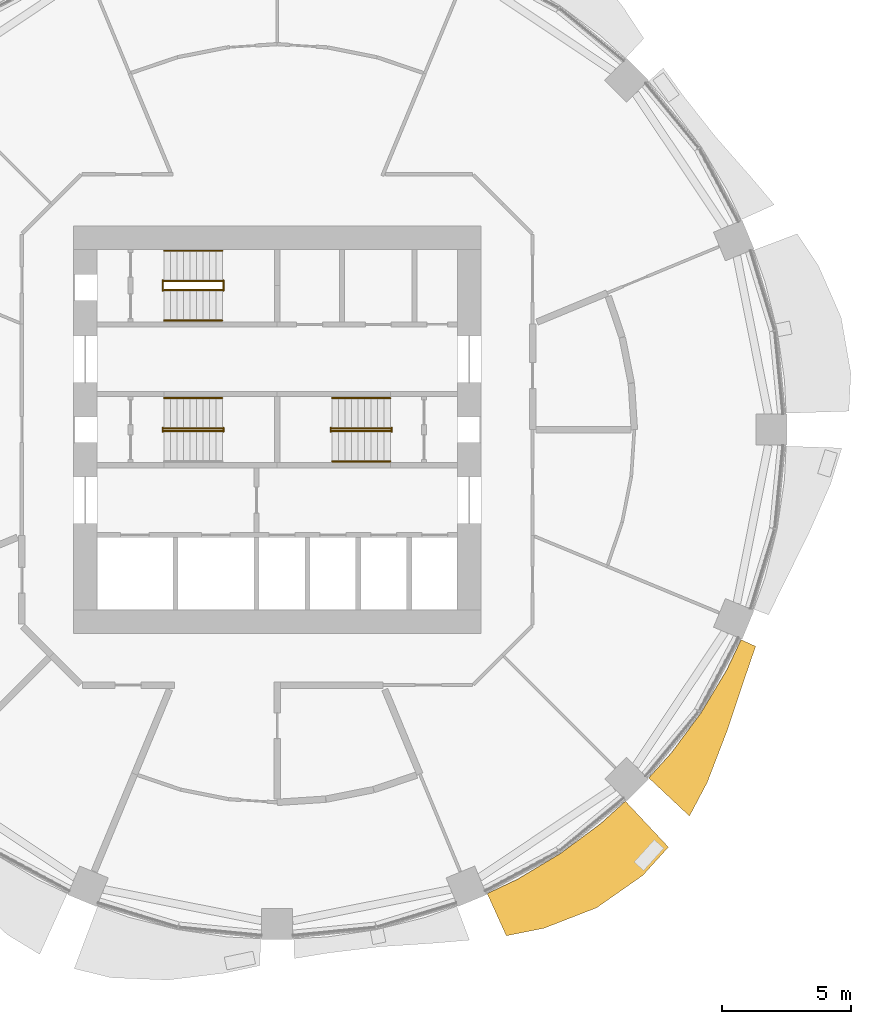
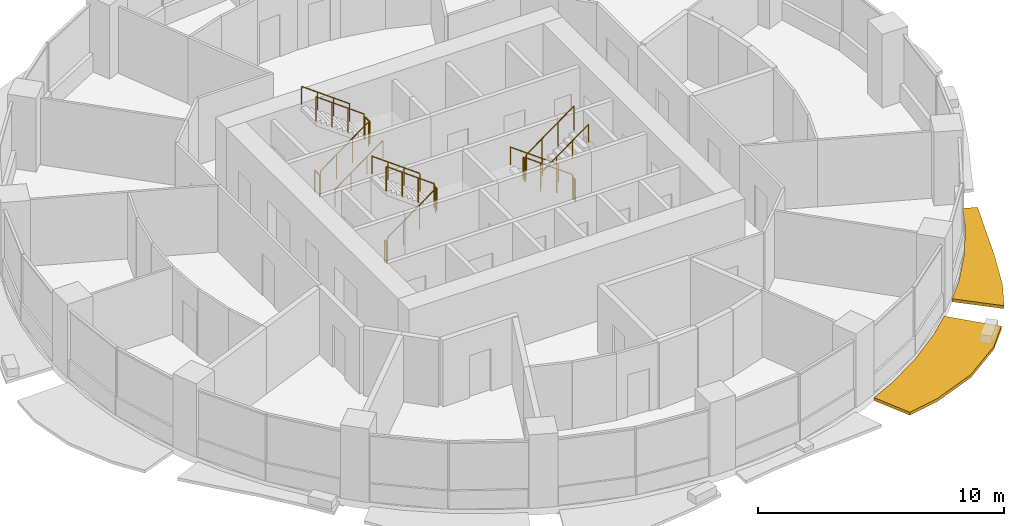
# One storey, part 13 of 15: 17 railings, 2 shading devices.
"""IFC4 building model written with IfcOpenShell, lengths in metres."""

from ifc_helpers import new_model, si_unit, direction, frame, origin, origin_2d, place, context, subcontext, project, spatial, polyline, circle, outline, extrude, material, type_object, element, save


model = new_model("IFC4")

# Units and contexts
model_context = context("Model", 3, precision=1e-05, world=origin(), true_north=direction((0.0, 1.0)))
body_context = subcontext(model_context, "Body", "Model", "MODEL_VIEW")
ifc_project = project(units=[si_unit("LENGTHUNIT", "METRE"), si_unit("AREAUNIT", "SQUARE_METRE"), si_unit("VOLUMEUNIT", "CUBIC_METRE"), si_unit("PLANEANGLEUNIT", "RADIAN"), si_unit("MASSUNIT", "GRAM", prefix="KILO")], contexts=[model_context])

# Site, building, storey
site_placement = place(None, origin())
site = spatial("IfcSite", under=ifc_project, at=site_placement, CompositionType="ELEMENT")
building_placement = place(site_placement, origin())
building = spatial("IfcBuilding", under=site, at=building_placement, Name="Polderwave Tower", CompositionType="ELEMENT")
storey_placement = place(building_placement, frame((0.0, 0.0, 37.14990234375)))
storey = spatial("IfcBuildingStorey", under=building, at=storey_placement, Name="L09", CompositionType="ELEMENT", Elevation=37.14990234375)

# Railings
ifc_material_1 = material(Name="Stainless steel", Category="steel")
railing_type_1 = type_object("IfcRailingType", Name="Stair guard 1100", PredefinedType="GUARDRAIL", material=ifc_material_1)
railing_1_placement = place(storey_placement, frame((-4.3740234375, -0.051025390625, 0.0625)))
element("IfcRailing", 1, at=railing_1_placement, inside=storey, type_object=railing_type_1, Name="L09 ST-A stair guard 1", PredefinedType="GUARDRAIL", context=body_context, shape_type="SweptSolid", body=[
    extrude(circle(Radius=0.02392578125, at=origin_2d()), frame((0.0, 0.0, 1.1962890625), z_axis=(0.807673635365, 0.0, 0.58962979804), x_axis=(0.0, 1.0, 0.0)), (0.0, 0.0, 1.0), 2.785888671875),
    extrude(circle(Radius=0.02392578125, at=origin_2d()), origin(), (0.0, 0.0, 1.0), 1.172119140625),
    extrude(circle(Radius=0.02392578125, at=origin_2d()), frame((0.75, 0.0, 0.547607421875)), (0.0, 0.0, 1.0), 1.172119140625),
    extrude(circle(Radius=0.02392578125, at=origin_2d()), frame((1.5, 0.0, 1.094970703125)), (0.0, 0.0, 1.0), 1.172119140625),
    extrude(circle(Radius=0.02392578125, at=origin_2d()), frame((2.25, 0.0, 1.642578125)), (0.0, 0.0, 1.0), 1.172119140625),
])
railing_2_placement = place(storey_placement, frame((-2.073974609375, -0.074951171875, 1.8251953125)))
element("IfcRailing", 2, at=railing_2_placement, inside=storey, type_object=railing_type_1, Name="L09 ST-A stair guard 2", PredefinedType="GUARDRAIL", context=body_context, shape_type="SweptSolid", body=[
    extrude(circle(Radius=0.02392578125, at=origin_2d()), frame((0.0, 0.0, 1.076171875), z_axis=(0.0, 1.0, 0.0), x_axis=(-1.0, 0.0, 0.0)), (0.0, 0.0, 1.0), 0.14990234375),
    extrude(circle(Radius=0.02099609375, at=origin_2d()), origin(), (0.0, 0.0, 1.0), 1.052001953125),
    extrude(circle(Radius=0.02099609375, at=origin_2d()), frame((0.0, 0.14990234375, 0.0)), (0.0, 0.0, 1.0), 1.052001953125),
])
railing_3_placement = place(storey_placement, frame((-2.1240234375, 0.051025390625, 1.887451171875)))
element("IfcRailing", 3, at=railing_3_placement, inside=storey, type_object=railing_type_1, Name="L09 ST-A stair guard 3", PredefinedType="GUARDRAIL", context=body_context, shape_type="SweptSolid", body=[
    extrude(circle(Radius=0.02392578125, at=origin_2d()), frame((0.0, 0.0, 1.1962890625), z_axis=(-0.807673635365, 0.0, 0.58962979804), x_axis=(0.0, -1.0, 0.0)), (0.0, 0.0, 1.0), 2.785888671875),
    extrude(circle(Radius=0.02392578125, at=origin_2d()), origin(), (0.0, 0.0, 1.0), 1.172119140625),
    extrude(circle(Radius=0.02392578125, at=origin_2d()), frame((-0.75, 0.0, 0.547607421875)), (0.0, 0.0, 1.0), 1.172119140625),
    extrude(circle(Radius=0.02392578125, at=origin_2d()), frame((-1.5, 0.0, 1.094970703125)), (0.0, 0.0, 1.0), 1.172119140625),
    extrude(circle(Radius=0.02392578125, at=origin_2d()), frame((-2.25, 0.0, 1.642578125)), (0.0, 0.0, 1.0), 1.172119140625),
])
railing_4_placement = place(storey_placement, frame((-4.424072265625, -0.074951171875, 0.0)))
element("IfcRailing", 4, at=railing_4_placement, inside=storey, type_object=railing_type_1, Name="L09 ST-A stair guard 4", PredefinedType="GUARDRAIL", context=body_context, shape_type="SweptSolid", body=[
    extrude(circle(Radius=0.02392578125, at=origin_2d()), frame((0.0, 0.0, 1.076171875), z_axis=(0.0, 1.0, 0.0), x_axis=(-1.0, 0.0, 0.0)), (0.0, 0.0, 1.0), 0.14990234375),
    extrude(circle(Radius=0.02099609375, at=origin_2d()), origin(), (0.0, 0.0, 1.0), 1.052001953125),
    extrude(circle(Radius=0.02099609375, at=origin_2d()), frame((0.0, 0.14990234375, 0.0)), (0.0, 0.0, 1.0), 1.052001953125),
])
railing_5_placement = place(storey_placement, frame((4.3740234375, 0.051025390625, 0.0625)))
element("IfcRailing", 5, at=railing_5_placement, inside=storey, type_object=railing_type_1, Name="L09 ST-B stair guard 1", PredefinedType="GUARDRAIL", context=body_context, shape_type="SweptSolid", body=[
    extrude(circle(Radius=0.02392578125, at=origin_2d()), frame((0.0, 0.0, 1.1962890625), z_axis=(-0.807673635365, 0.0, 0.58962979804), x_axis=(0.0, -1.0, 0.0)), (0.0, 0.0, 1.0), 2.785888671875),
    extrude(circle(Radius=0.02392578125, at=origin_2d()), origin(), (0.0, 0.0, 1.0), 1.172119140625),
    extrude(circle(Radius=0.02392578125, at=origin_2d()), frame((-0.75, 0.0, 0.547607421875)), (0.0, 0.0, 1.0), 1.172119140625),
    extrude(circle(Radius=0.02392578125, at=origin_2d()), frame((-1.5, 0.0, 1.094970703125)), (0.0, 0.0, 1.0), 1.172119140625),
    extrude(circle(Radius=0.02392578125, at=origin_2d()), frame((-2.25, 0.0, 1.642578125)), (0.0, 0.0, 1.0), 1.172119140625),
])
railing_6_placement = place(storey_placement, frame((2.073974609375, 0.074951171875, 1.8251953125)))
element("IfcRailing", 6, at=railing_6_placement, inside=storey, type_object=railing_type_1, Name="L09 ST-B stair guard 2", PredefinedType="GUARDRAIL", context=body_context, shape_type="SweptSolid", body=[
    extrude(circle(Radius=0.02392578125, at=origin_2d()), frame((0.0, 0.0, 1.076171875), z_axis=(0.0, -1.0, 0.0), x_axis=(1.0, 0.0, 0.0)), (0.0, 0.0, 1.0), 0.14990234375),
    extrude(circle(Radius=0.02099609375, at=origin_2d()), origin(), (0.0, 0.0, 1.0), 1.052001953125),
    extrude(circle(Radius=0.02099609375, at=origin_2d()), frame((0.0, -0.14990234375, 0.0)), (0.0, 0.0, 1.0), 1.052001953125),
])
railing_7_placement = place(storey_placement, frame((2.1240234375, -0.051025390625, 1.887451171875)))
element("IfcRailing", 7, at=railing_7_placement, inside=storey, type_object=railing_type_1, Name="L09 ST-B stair guard 3", PredefinedType="GUARDRAIL", context=body_context, shape_type="SweptSolid", body=[
    extrude(circle(Radius=0.02392578125, at=origin_2d()), frame((0.0, 0.0, 1.1962890625), z_axis=(0.807673635365, 0.0, 0.58962979804), x_axis=(0.0, 1.0, 0.0)), (0.0, 0.0, 1.0), 2.785888671875),
    extrude(circle(Radius=0.02392578125, at=origin_2d()), origin(), (0.0, 0.0, 1.0), 1.172119140625),
    extrude(circle(Radius=0.02392578125, at=origin_2d()), frame((0.75, 0.0, 0.547607421875)), (0.0, 0.0, 1.0), 1.172119140625),
    extrude(circle(Radius=0.02392578125, at=origin_2d()), frame((1.5, 0.0, 1.094970703125)), (0.0, 0.0, 1.0), 1.172119140625),
    extrude(circle(Radius=0.02392578125, at=origin_2d()), frame((2.25, 0.0, 1.642578125)), (0.0, 0.0, 1.0), 1.172119140625),
])
railing_8_placement = place(storey_placement, frame((4.424072265625, 0.074951171875, 0.0)))
element("IfcRailing", 8, at=railing_8_placement, inside=storey, type_object=railing_type_1, Name="L09 ST-B stair guard 4", PredefinedType="GUARDRAIL", context=body_context, shape_type="SweptSolid", body=[
    extrude(circle(Radius=0.02392578125, at=origin_2d()), frame((0.0, 0.0, 1.076171875), z_axis=(0.0, -1.0, 0.0), x_axis=(1.0, 0.0, 0.0)), (0.0, 0.0, 1.0), 0.14990234375),
    extrude(circle(Radius=0.02099609375, at=origin_2d()), origin(), (0.0, 0.0, 1.0), 1.052001953125),
    extrude(circle(Radius=0.02099609375, at=origin_2d()), frame((0.0, -0.14990234375, 0.0)), (0.0, 0.0, 1.0), 1.052001953125),
])
railing_9_placement = place(storey_placement, frame((-4.3740234375, 5.39794921875, 0.0625)))
element("IfcRailing", 9, at=railing_9_placement, inside=storey, type_object=railing_type_1, Name="L09 ST-C stair guard 1", PredefinedType="GUARDRAIL", context=body_context, shape_type="SweptSolid", body=[
    extrude(circle(Radius=0.02392578125, at=origin_2d()), frame((0.0, 0.0, 1.1962890625), z_axis=(0.807673635365, 0.0, 0.58962979804), x_axis=(0.0, 1.0, 0.0)), (0.0, 0.0, 1.0), 2.785888671875),
    extrude(circle(Radius=0.02392578125, at=origin_2d()), origin(), (0.0, 0.0, 1.0), 1.172119140625),
    extrude(circle(Radius=0.02392578125, at=origin_2d()), frame((0.75, 0.0, 0.547607421875)), (0.0, 0.0, 1.0), 1.172119140625),
    extrude(circle(Radius=0.02392578125, at=origin_2d()), frame((1.5, 0.0, 1.094970703125)), (0.0, 0.0, 1.0), 1.172119140625),
    extrude(circle(Radius=0.02392578125, at=origin_2d()), frame((2.25, 0.0, 1.642578125)), (0.0, 0.0, 1.0), 1.172119140625),
])
railing_10_placement = place(storey_placement, frame((-2.073974609375, 5.3740234375, 1.8251953125)))
element("IfcRailing", 10, at=railing_10_placement, inside=storey, type_object=railing_type_1, Name="L09 ST-C stair guard 2", PredefinedType="GUARDRAIL", context=body_context, shape_type="SweptSolid", body=[
    extrude(circle(Radius=0.02392578125, at=origin_2d()), frame((0.0, 0.0, 1.076171875), z_axis=(0.0, 1.0, 0.0), x_axis=(-1.0, 0.0, 0.0)), (0.0, 0.0, 1.0), 0.39990234375),
    extrude(circle(Radius=0.02099609375, at=origin_2d()), origin(), (0.0, 0.0, 1.0), 1.052001953125),
    extrude(circle(Radius=0.02099609375, at=origin_2d()), frame((0.0, 0.39990234375, 0.0)), (0.0, 0.0, 1.0), 1.052001953125),
])
railing_11_placement = place(storey_placement, frame((-2.1240234375, 5.75, 1.887451171875)))
element("IfcRailing", 11, at=railing_11_placement, inside=storey, type_object=railing_type_1, Name="L09 ST-C stair guard 3", PredefinedType="GUARDRAIL", context=body_context, shape_type="SweptSolid", body=[
    extrude(circle(Radius=0.02392578125, at=origin_2d()), frame((0.0, 0.0, 1.1962890625), z_axis=(-0.807673635365, 0.0, 0.58962979804), x_axis=(0.0, -1.0, 0.0)), (0.0, 0.0, 1.0), 2.785888671875),
    extrude(circle(Radius=0.02392578125, at=origin_2d()), origin(), (0.0, 0.0, 1.0), 1.172119140625),
    extrude(circle(Radius=0.02392578125, at=origin_2d()), frame((-0.75, 0.0, 0.547607421875)), (0.0, 0.0, 1.0), 1.172119140625),
    extrude(circle(Radius=0.02392578125, at=origin_2d()), frame((-1.5, 0.0, 1.094970703125)), (0.0, 0.0, 1.0), 1.172119140625),
    extrude(circle(Radius=0.02392578125, at=origin_2d()), frame((-2.25, 0.0, 1.642578125)), (0.0, 0.0, 1.0), 1.172119140625),
])
railing_12_placement = place(storey_placement, frame((-4.424072265625, 5.3740234375, 0.0)))
element("IfcRailing", 12, at=railing_12_placement, inside=storey, type_object=railing_type_1, Name="L09 ST-C stair guard 4", PredefinedType="GUARDRAIL", context=body_context, shape_type="SweptSolid", body=[
    extrude(circle(Radius=0.02392578125, at=origin_2d()), frame((0.0, 0.0, 1.076171875), z_axis=(0.0, 1.0, 0.0), x_axis=(-1.0, 0.0, 0.0)), (0.0, 0.0, 1.0), 0.39990234375),
    extrude(circle(Radius=0.02099609375, at=origin_2d()), origin(), (0.0, 0.0, 1.0), 1.052001953125),
    extrude(circle(Radius=0.02099609375, at=origin_2d()), frame((0.0, 0.39990234375, 0.0)), (0.0, 0.0, 1.0), 1.052001953125),
])
railing_type_2 = type_object("IfcRailingType", Name="Stair handrail 900", PredefinedType="HANDRAIL", material=ifc_material_1)
for number, where, name in (
    (13, (-2.1240234375, 1.22509765625, 2.007568359375), "L09 ST-A stair handrail 2"),
    (14, (4.3740234375, 1.22509765625, 0.1826171875), "L09 ST-B stair handrail 1"),
):
    element("IfcRailing", number, at=place(storey_placement, frame(where)), inside=storey, type_object=railing_type_2, Name=name, PredefinedType="HANDRAIL", context=body_context, shape_type="SweptSolid", body=[
        extrude(circle(Radius=0.02392578125, at=origin_2d()), frame((0.0, 0.0, 0.8759765625), z_axis=(-0.807673635365, 0.0, 0.58962979804), x_axis=(0.0, -1.0, 0.0)), (0.0, 0.0, 1.0), 2.785888671875),
        extrude(circle(Radius=0.02099609375, at=origin_2d()), origin(), (0.0, 0.0, 1.0), 0.851806640625),
        extrude(circle(Radius=0.02099609375, at=origin_2d()), frame((-0.75, 0.0, 0.547607421875)), (0.0, 0.0, 1.0), 0.851806640625),
        extrude(circle(Radius=0.02099609375, at=origin_2d()), frame((-1.5, 0.0, 1.094970703125)), (0.0, 0.0, 1.0), 0.851806640625),
        extrude(circle(Radius=0.02099609375, at=origin_2d()), frame((-2.25, 0.0, 1.642578125)), (0.0, 0.0, 1.0), 0.851806640625),
    ])
for number, where, name in (
    (15, (2.1240234375, -1.22509765625, 2.007568359375), "L09 ST-B stair handrail 2"),
    (16, (-4.3740234375, 4.22412109375, 0.1826171875), "L09 ST-C stair handrail 1"),
):
    element("IfcRailing", number, at=place(storey_placement, frame(where)), inside=storey, type_object=railing_type_2, Name=name, PredefinedType="HANDRAIL", context=body_context, shape_type="SweptSolid", body=[
        extrude(circle(Radius=0.02392578125, at=origin_2d()), frame((0.0, 0.0, 0.8759765625), z_axis=(0.807673635365, 0.0, 0.58962979804), x_axis=(0.0, 1.0, 0.0)), (0.0, 0.0, 1.0), 2.785888671875),
        extrude(circle(Radius=0.02099609375, at=origin_2d()), origin(), (0.0, 0.0, 1.0), 0.851806640625),
        extrude(circle(Radius=0.02099609375, at=origin_2d()), frame((0.75, 0.0, 0.547607421875)), (0.0, 0.0, 1.0), 0.851806640625),
        extrude(circle(Radius=0.02099609375, at=origin_2d()), frame((1.5, 0.0, 1.094970703125)), (0.0, 0.0, 1.0), 0.851806640625),
        extrude(circle(Radius=0.02099609375, at=origin_2d()), frame((2.25, 0.0, 1.642578125)), (0.0, 0.0, 1.0), 0.851806640625),
    ])
railing_13_placement = place(storey_placement, frame((-2.1240234375, 6.924072265625, 2.007568359375)))
element("IfcRailing", 17, at=railing_13_placement, inside=storey, type_object=railing_type_2, Name="L09 ST-C stair handrail 2", PredefinedType="HANDRAIL", context=body_context, shape_type="SweptSolid", body=[
    extrude(circle(Radius=0.02392578125, at=origin_2d()), frame((0.0, 0.0, 0.8759765625), z_axis=(-0.807673635365, 0.0, 0.58962979804), x_axis=(0.0, -1.0, 0.0)), (0.0, 0.0, 1.0), 2.785888671875),
    extrude(circle(Radius=0.02099609375, at=origin_2d()), origin(), (0.0, 0.0, 1.0), 0.851806640625),
    extrude(circle(Radius=0.02099609375, at=origin_2d()), frame((-0.75, 0.0, 0.547607421875)), (0.0, 0.0, 1.0), 0.851806640625),
    extrude(circle(Radius=0.02099609375, at=origin_2d()), frame((-1.5, 0.0, 1.094970703125)), (0.0, 0.0, 1.0), 0.851806640625),
    extrude(circle(Radius=0.02099609375, at=origin_2d()), frame((-2.25, 0.0, 1.642578125)), (0.0, 0.0, 1.0), 0.851806640625),
])

# Shading devices
ifc_material_2 = material(Name="Terracotta", Category="masonry")
shading_device_type = type_object("IfcShadingDeviceType", Name="Terracotta sunshade band", PredefinedType="USERDEFINED", material=ifc_material_2)
shading_device_1_placement = place(storey_placement, frame((0.0, 0.0, -0.349853515625)))
element("IfcShadingDevice", 18, at=shading_device_1_placement, inside=storey, type_object=shading_device_type, Name="Sunshade band L09 14", ObjectType="SUNSHADE", PredefinedType="USERDEFINED", context=body_context, shape_type="SweptSolid", body=[
    extrude(outline(polyline([(8.1201171875, -17.9365234375), (9.291259765625, -17.3828125), (10.9501953125, -16.38818359375), (12.50390625, -15.236083984375), (13.4638671875, -14.365966796875), (15.127197265625, -16.140625), (14.1416015625, -17.2314453125), (12.351806640625, -18.48583984375), (10.30615234375, -19.281494140625), (8.8583984375, -19.5673828125), (8.1201171875, -17.9365234375)])), origin(), (0.0, 0.0, 1.0), 0.14990234375),
])
shading_device_2_placement = place(storey_placement, frame((0.0, 0.0, -0.349853515625)))
element("IfcShadingDevice", 19, at=shading_device_2_placement, inside=storey, type_object=shading_device_type, Name="Sunshade band L09 15", ObjectType="SUNSHADE", PredefinedType="USERDEFINED", context=body_context, shape_type="SweptSolid", body=[
    extrude(outline(polyline([(14.365966796875, -13.4638671875), (15.236083984375, -12.50390625), (16.38818359375, -10.9501953125), (17.3828125, -9.291259765625), (17.9365234375, -8.1201171875), (18.5009765625, -8.37548828125), (18.06201171875, -9.654296875), (17.40283203125, -11.628173828125), (16.626220703125, -13.644775390625), (15.94189453125, -14.94091796875), (14.365966796875, -13.4638671875)])), origin(), (0.0, 0.0, 1.0), 0.14990234375),
])

save(model, "model.ifc")
